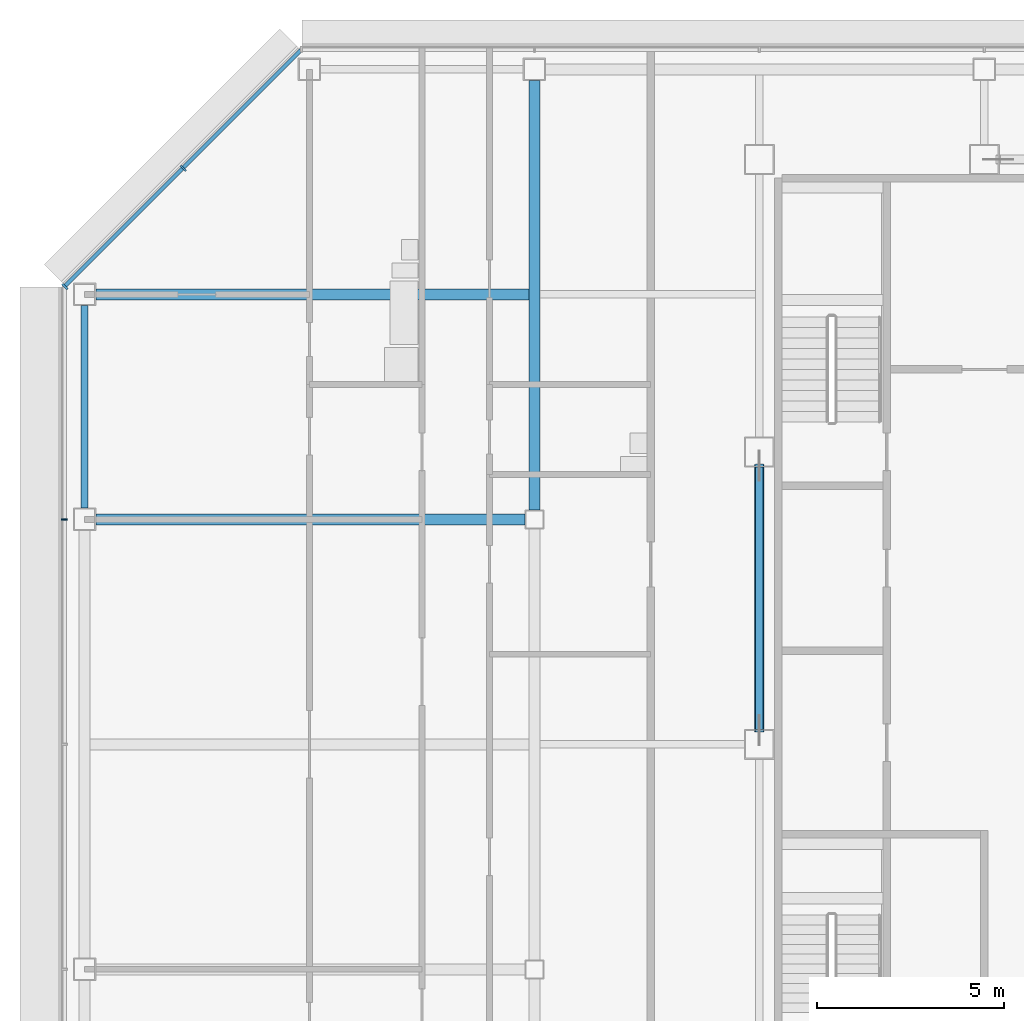
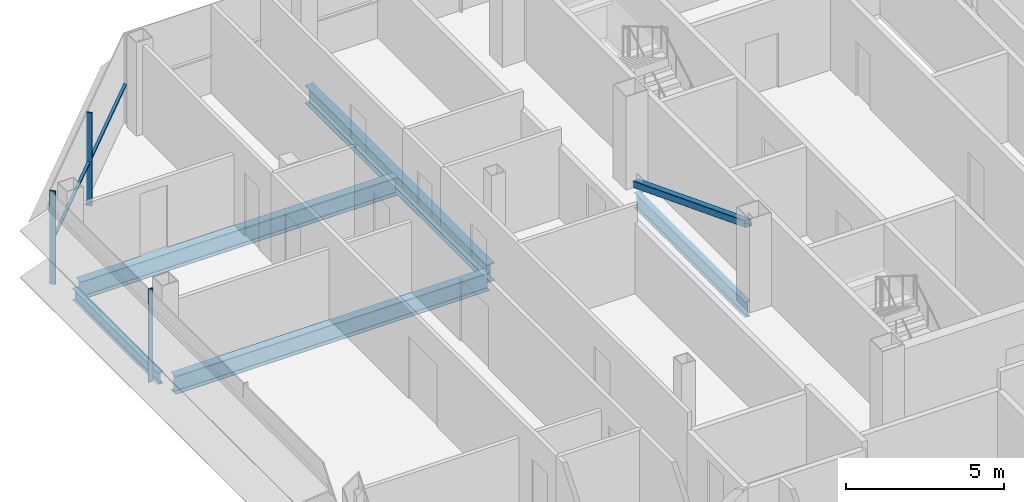
# One storey, part 12 of 28: 5 beams, 5 members, 2 elements without a shape of their own.
"""IFC4 building model written with IfcOpenShell, lengths in metres."""

from ifc_helpers import new_model, si_unit, direction, frame, origin, origin_2d, place, context, subcontext, project, spatial, rectangle, hollow_rectangle, i_section, extrude, material, material_profile, profile_set, type_object, element, aggregate, save


model = new_model("IFC4")

# Units and contexts
model_context = context("Model", 3, precision=1e-05, world=origin(), true_north=direction((0.0, 1.0)))
body_context = subcontext(model_context, "Body", "Model", "MODEL_VIEW")
ifc_project = project(units=[si_unit("LENGTHUNIT", "METRE"), si_unit("AREAUNIT", "SQUARE_METRE"), si_unit("VOLUMEUNIT", "CUBIC_METRE"), si_unit("PLANEANGLEUNIT", "RADIAN"), si_unit("MASSUNIT", "GRAM", prefix="KILO")], contexts=[model_context])

# Site, building, storey
site_placement = place(None, origin())
site = spatial("IfcSite", under=ifc_project, at=site_placement, CompositionType="ELEMENT")
building_placement = place(site_placement, origin())
building = spatial("IfcBuilding", under=site, at=building_placement, Name="Sorahane Residences", CompositionType="ELEMENT")
storey_placement = place(building_placement, frame((0.0, 0.0, 250.39990234375)))
storey = spatial("IfcBuildingStorey", under=building, at=storey_placement, Name="L59", CompositionType="ELEMENT", Elevation=250.39990234375)

# Member
ifc_material_1 = material(Name="Steel Q355B", Category="steel")
ifc_material_profile_1 = material_profile(ifc_material_1, hollow_rectangle(XDim=0.25, YDim=0.25, WallThickness=0.013916015625, InnerFilletRadius=0.007080078125, OuterFilletRadius=0.02099609375, at=origin_2d()), Name="RHS 250x250x14")
ifc_profile_set_1 = profile_set([ifc_material_profile_1], Name="Steel Q355B")
member_type_1 = type_object("IfcMemberType", Name="Core brace RHS 250x250x14 Q355B", PredefinedType="BRACE", material=ifc_profile_set_1)
member_1_placement = place(storey_placement, frame((6.0, 37.42724609375, 0.114501953125), z_axis=(0.0, -0.932102104456, 0.362195619617), x_axis=(1.0, 0.0, 0.0)))
element("IfcMember", 1, at=member_1_placement, inside=storey, type_object=member_type_1, Name="Core brace L59 x6-2", PredefinedType="BRACE", context=body_context, shape_type="SweptSolid", body=[
    extrude(hollow_rectangle(XDim=0.25, YDim=0.25, WallThickness=0.013916015625, InnerFilletRadius=0.007080078125, OuterFilletRadius=0.02099609375, at=origin_2d()), origin(), (0.0, 0.0, 1.0), 7.568359375),
])

# Curtain wall, member
ifc_material_2 = material(Name="Dark low-e glass and black anodised aluminium", Category="aluminium")
curtain_wall_type_1 = type_object("IfcCurtainWallType", Name="Curtain wall CW-1 Typical unitised wall", PredefinedType="NOTDEFINED", material=ifc_material_2)
curtain_wall_1_placement = place(storey_placement, origin())
curtain_wall_1 = element("IfcCurtainWall", 2, at=curtain_wall_1_placement, inside=storey, type_object=curtain_wall_type_1, Name="CW-1 curtain wall L59 W1", PredefinedType="NOTDEFINED")
ifc_material_3 = material(Name="Black anodised aluminium", Category="aluminium")
ifc_material_profile_2 = material_profile(ifc_material_3, rectangle(XDim=0.159912109375, YDim=0.050048828125, at=origin_2d()), Name="Curtain wall mullion CW-1 black anodised aluminium 50x160")
ifc_profile_set_2 = profile_set([ifc_material_profile_2], Name="Black anodised aluminium")
member_type_2 = type_object("IfcMemberType", Name="Curtain wall mullion CW-1 black anodised aluminium 50x160", PredefinedType="MULLION", material=ifc_profile_set_2)
member_2_placement = place(storey_placement, frame((-12.5400390625, 36.0, -0.179931640625), z_axis=(0.0, 0.0, 1.0), x_axis=(-1.0, 0.0, 0.0)))
member_2 = element("IfcMember", 3, at=member_2_placement, type_object=member_type_2, Name="CW-1 mullion L59 W1.2", PredefinedType="MULLION", context=body_context, shape_type="SweptSolid", body=[
    extrude(rectangle(XDim=0.159912109375, YDim=0.050048828125, at=origin_2d()), origin(), (0.0, 0.0, 1.0), 3.60009765625),
])
aggregate(curtain_wall_1, [member_2])

# Curtain wall, members
ifc_material_4 = material(Name="Dark low-e glass and black anodised aluminium", Category="aluminium")
curtain_wall_type_2 = type_object("IfcCurtainWallType", Name="Curtain wall CW-2 Chamfer unitised wall", PredefinedType="NOTDEFINED", material=ifc_material_4)
curtain_wall_2_placement = place(storey_placement, origin())
curtain_wall_2 = element("IfcCurtainWall", 4, at=curtain_wall_2_placement, inside=storey, type_object=curtain_wall_type_2, Name="CW-2 curtain wall L59 NW1", PredefinedType="NOTDEFINED")
ifc_material_5 = material(Name="Black anodised aluminium", Category="aluminium")
ifc_material_profile_3 = material_profile(ifc_material_5, rectangle(XDim=0.199951171875, YDim=0.050048828125, at=origin_2d()), Name="Curtain wall mullion CW-2 black anodised aluminium 50x200")
ifc_profile_set_3 = profile_set([ifc_material_profile_3], Name="Black anodised aluminium")
member_type_3 = type_object("IfcMemberType", Name="Curtain wall mullion CW-2 black anodised aluminium 50x200", PredefinedType="MULLION", material=ifc_profile_set_3)
member_3_placement = place(storey_placement, frame((-9.36767578125, 45.36767578125, -0.179931640625), z_axis=(0.0, 0.0, 1.0), x_axis=(-0.707106781187, 0.707106781187, 0.0)))
member_3 = element("IfcMember", 5, at=member_3_placement, type_object=member_type_3, Name="CW-2 mullion L59 NW1.2", PredefinedType="MULLION", context=body_context, shape_type="SweptSolid", body=[
    extrude(rectangle(XDim=0.199951171875, YDim=0.050048828125, at=origin_2d()), origin(), (0.0, 0.0, 1.0), 3.60009765625),
])
member_4_placement = place(storey_placement, frame((-12.525634765625, 42.209716796875, -0.179931640625), z_axis=(0.0, 0.0, 1.0), x_axis=(-0.707106781187, 0.707106781187, 0.0)))
member_4 = element("IfcMember", 6, at=member_4_placement, type_object=member_type_3, Name="CW-2 mullion L59 NW1.3", PredefinedType="MULLION", context=body_context, shape_type="SweptSolid", body=[
    extrude(rectangle(XDim=0.199951171875, YDim=0.050048828125, at=origin_2d()), origin(), (0.0, 0.0, 1.0), 3.60009765625),
])
ifc_material_6 = material(Name="Black anodised aluminium", Category="aluminium")
ifc_material_profile_4 = material_profile(ifc_material_6, rectangle(XDim=0.10009765625, YDim=0.06005859375, at=origin_2d()), Name="Curtain wall transom CW-2 black anodised aluminium 60x100")
ifc_profile_set_4 = profile_set([ifc_material_profile_4], Name="Black anodised aluminium")
member_type_4 = type_object("IfcMemberType", Name="Curtain wall transom CW-2 black anodised aluminium 60x100", PredefinedType="USERDEFINED", material=ifc_profile_set_4)
member_5_placement = place(storey_placement, frame((-6.234375, 48.51513671875, 1.5), z_axis=(-0.707106781187, -0.707106781187, 0.0), x_axis=(0.707106781187, -0.707106781187, 0.0)))
member_5 = element("IfcMember", 7, at=member_5_placement, type_object=member_type_4, Name="CW-2 transom L59 NW1", ObjectType="TRANSOM", PredefinedType="USERDEFINED", context=body_context, shape_type="SweptSolid", body=[
    extrude(rectangle(XDim=0.10009765625, YDim=0.06005859375, at=origin_2d()), origin(), (0.0, 0.0, 1.0), 8.88232421875),
])
aggregate(curtain_wall_2, [member_3, member_4, member_5])

# Beams
ifc_material_7 = material(Name="Steel Q355B", Category="steel")
ifc_material_profile_5 = material_profile(ifc_material_7, i_section(OverallWidth=0.199951171875, OverallDepth=0.449951171875, WebThickness=0.009033203125, FlangeThickness=0.013916015625, FilletRadius=0.02001953125, at=origin_2d()), Name="HN 450x200x9x14")
ifc_profile_set_5 = profile_set([ifc_material_profile_5], Name="Steel Q355B")
beam_type_1 = type_object("IfcBeamType", Name="Steel floor beam HN 450x200x9x14 Q355B", PredefinedType="BEAM", material=ifc_profile_set_5)
beam_1_placement = place(storey_placement, frame((-12.0, 36.300048828125, -0.40478515625), z_axis=(0.0, 1.0, 0.0), x_axis=(-1.0, 0.0, 0.0)))
element("IfcBeam", 8, at=beam_1_placement, inside=storey, type_object=beam_type_1, Name="Beam L59 023", PredefinedType="BEAM", context=body_context, shape_type="SweptSolid", body=[
    extrude(i_section(OverallWidth=0.199951171875, OverallDepth=0.449951171875, WebThickness=0.009033203125, FlangeThickness=0.013916015625, FilletRadius=0.02001953125, at=origin_2d()), origin(), (0.0, 0.0, 1.0), 5.39990234375),
])
ifc_material_8 = material(Name="Steel Q355B", Category="steel")
ifc_material_profile_6 = material_profile(ifc_material_8, i_section(OverallWidth=0.199951171875, OverallDepth=0.60009765625, WebThickness=0.010986328125, FlangeThickness=0.01708984375, FilletRadius=0.02392578125, at=origin_2d()), Name="HN 600x200x11x17")
ifc_profile_set_6 = profile_set([ifc_material_profile_6], Name="Steel Q355B")
beam_type_2 = type_object("IfcBeamType", Name="Steel floor beam HN 600x200x11x17 Q355B", PredefinedType="BEAM", material=ifc_profile_set_6)
beam_2_placement = place(storey_placement, frame((6.0, 30.39990234375, -0.47998046875), z_axis=(0.0, 1.0, 0.0), x_axis=(-1.0, 0.0, 0.0)))
element("IfcBeam", 9, at=beam_2_placement, inside=storey, type_object=beam_type_2, Name="Beam L59 031", PredefinedType="BEAM", context=body_context, shape_type="SweptSolid", body=[
    extrude(i_section(OverallWidth=0.199951171875, OverallDepth=0.60009765625, WebThickness=0.010986328125, FlangeThickness=0.01708984375, FilletRadius=0.02392578125, at=origin_2d()), origin(), (0.0, 0.0, 1.0), 7.0),
])
ifc_material_9 = material(Name="Steel Q355B", Category="steel")
ifc_material_profile_7 = material_profile(ifc_material_9, i_section(OverallWidth=0.300048828125, OverallDepth=0.699951171875, WebThickness=0.012939453125, FlangeThickness=0.02392578125, FilletRadius=0.028076171875, at=origin_2d()), Name="HN 700x300x13x24")
ifc_profile_set_7 = profile_set([ifc_material_profile_7], Name="Steel Q355B")
beam_type_3 = type_object("IfcBeamType", Name="Steel floor beam HN 700x300x13x24 Q355B", PredefinedType="BEAM", material=ifc_profile_set_7)
for number, where, z_axis, x_axis, name in (
    (10, (-11.699951171875, 36.0, -0.52978515625), (1.0, 0.0, 0.0), (0.0, 1.0, 0.0), "Beam L59 013"),
    (11, (0.0, 36.25, -0.52978515625), (0.0, 1.0, 0.0), (-1.0, 0.0, 0.0), "Beam L59 027"),
):
    element("IfcBeam", number, at=place(storey_placement, frame(where, z_axis=z_axis, x_axis=x_axis)), inside=storey, type_object=beam_type_3, Name=name, PredefinedType="BEAM", context=body_context, shape_type="SweptSolid", body=[
        extrude(i_section(OverallWidth=0.300048828125, OverallDepth=0.699951171875, WebThickness=0.012939453125, FlangeThickness=0.02392578125, FilletRadius=0.028076171875, at=origin_2d()), origin(), (0.0, 0.0, 1.0), 11.449951171875),
    ])
beam_3_placement = place(storey_placement, frame((-11.699951171875, 42.0, -0.52978515625), z_axis=(1.0, 0.0, 0.0), x_axis=(0.0, 1.0, 0.0)))
element("IfcBeam", 12, at=beam_3_placement, inside=storey, type_object=beam_type_3, Name="Beam L59 089", PredefinedType="BEAM", context=body_context, shape_type="SweptSolid", body=[
    extrude(i_section(OverallWidth=0.300048828125, OverallDepth=0.699951171875, WebThickness=0.012939453125, FlangeThickness=0.02392578125, FilletRadius=0.028076171875, at=origin_2d()), origin(), (0.0, 0.0, 1.0), 11.550048828125),
])

save(model, "model.ifc")
